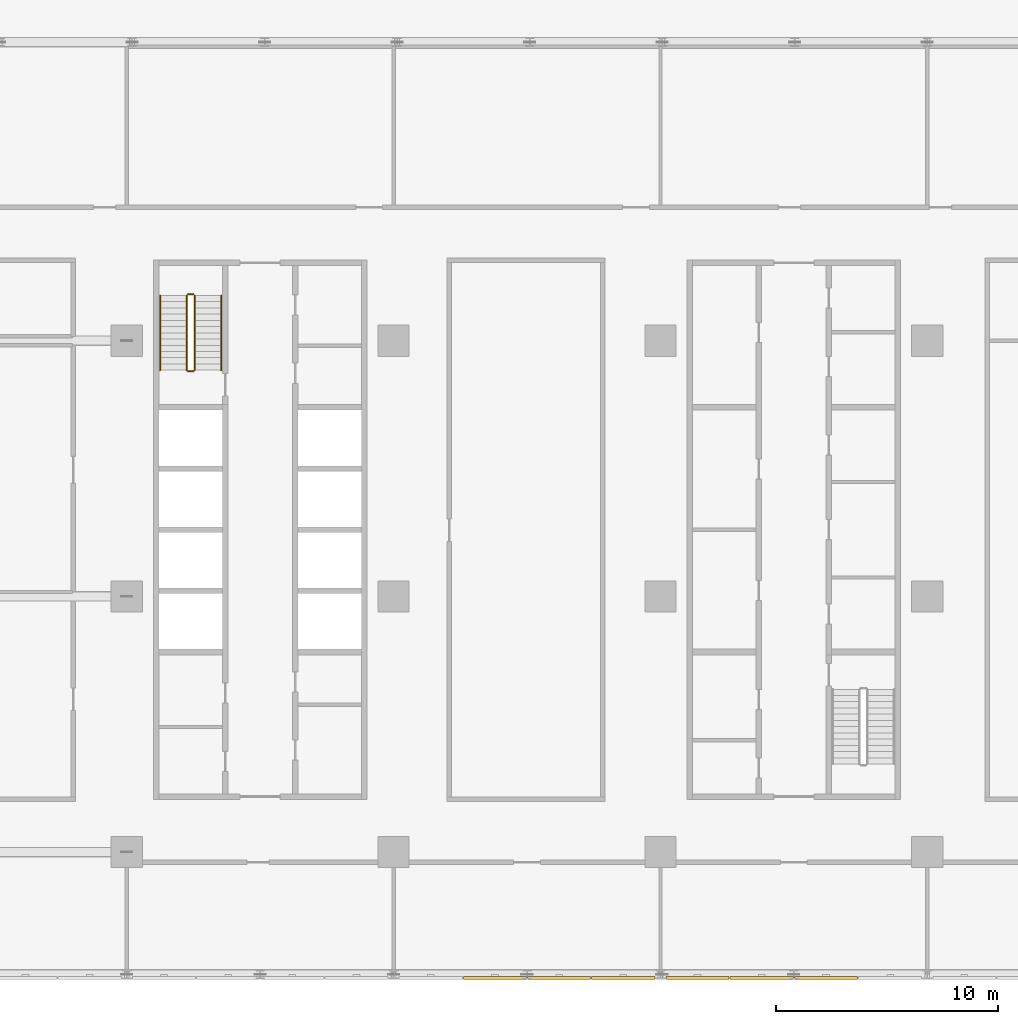
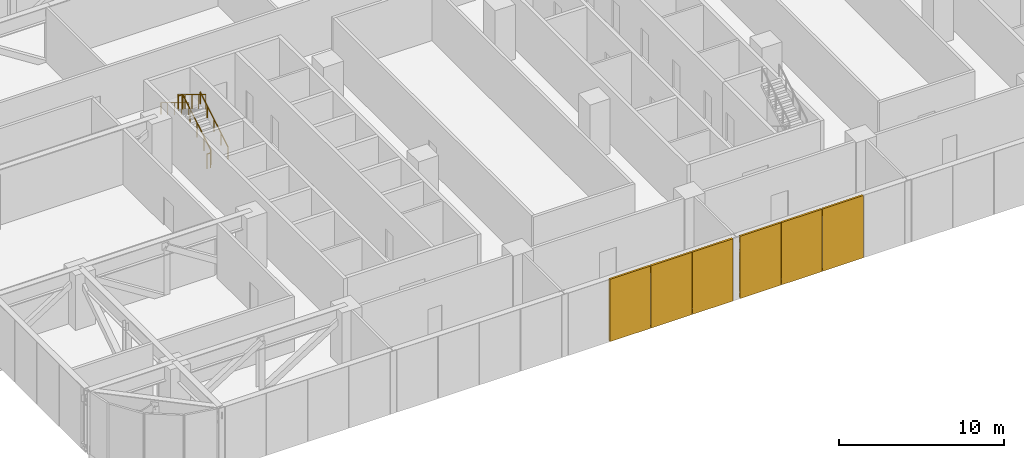
# One storey, part 22 of 26: 6 coverings, 6 railings.
"""IFC4 building model written with IfcOpenShell, lengths in metres."""

from ifc_helpers import new_model, si_unit, direction, frame, origin, origin_2d, place, context, subcontext, project, spatial, rectangle, circle, extrude, material, type_object, element, save


model = new_model("IFC4")

# Units and contexts
model_context = context("Model", 3, precision=1e-05, world=origin(), true_north=direction((0.0, 1.0)))
body_context = subcontext(model_context, "Body", "Model", "MODEL_VIEW")
ifc_project = project(units=[si_unit("LENGTHUNIT", "METRE"), si_unit("AREAUNIT", "SQUARE_METRE"), si_unit("VOLUMEUNIT", "CUBIC_METRE"), si_unit("PLANEANGLEUNIT", "RADIAN"), si_unit("MASSUNIT", "GRAM", prefix="KILO")], contexts=[model_context])

# Site, building, storey
site_placement = place(None, origin())
site = spatial("IfcSite", under=ifc_project, at=site_placement, CompositionType="ELEMENT")
building_placement = place(site_placement, origin())
building = spatial("IfcBuilding", under=site, at=building_placement, Name="Mahtab Terrace Research Tower", CompositionType="ELEMENT")
storey_placement = place(building_placement, frame((0.0, 0.0, 117.60009765625)))
storey = spatial("IfcBuildingStorey", under=building, at=storey_placement, Name="L27", CompositionType="ELEMENT", Elevation=117.60009765625)

# Coverings
ifc_material_1 = material(Name="Natural anodised aluminium", Category="aluminium")
covering_type = type_object("IfcCoveringType", Name="Plant storey louvre bay", PredefinedType="CLADDING", material=ifc_material_1)
for number, where, z_axis, x_axis, name in (
    (1, (-13.443115234375, -17.159912109375, -0.55029296875), (0.0, 0.0, 1.0), (1.0, 0.0, 0.0), "Louvre bay L27 81"),
    (2, (-10.556884765625, -17.159912109375, -0.55029296875), (0.0, 0.0, 1.0), (1.0, 0.0, 0.0), "Louvre bay L27 82"),
    (3, (-7.6708984375, -17.159912109375, -0.55029296875), (0.0, 0.0, 1.0), (1.0, 0.0, 0.0), "Louvre bay L27 83"),
    (4, (-4.3291015625, -17.159912109375, -0.55029296875), (0.0, 0.0, 1.0), (1.0, 0.0, 0.0), "Louvre bay L27 84"),
    (5, (-1.443115234375, -17.159912109375, -0.55029296875), (0.0, 0.0, 1.0), (1.0, 0.0, 0.0), "Louvre bay L27 85"),
    (6, (1.443115234375, -17.159912109375, -0.55029296875), (0.0, 0.0, 1.0), (1.0, 0.0, 0.0), "Louvre bay L27 86"),
):
    element("IfcCovering", number, at=place(storey_placement, frame(where, z_axis=z_axis, x_axis=x_axis)), inside=storey, type_object=covering_type, Name=name, PredefinedType="CLADDING", context=body_context, shape_type="SweptSolid", body=[
        extrude(rectangle(XDim=2.845947265625, YDim=0.139892578125, at=origin_2d()), origin(), (0.0, 0.0, 1.0), 4.610107421875),
    ])

# Railings
ifc_material_2 = material(Name="Stainless steel AISI 304", Category="steel")
railing_type_1 = type_object("IfcRailingType", Name="Stair guard 1100", PredefinedType="GUARDRAIL", material=ifc_material_2)
railing_1_placement = place(storey_placement, frame((-26.949951171875, 10.175048828125, 0.169189453125)))
element("IfcRailing", 7, at=railing_1_placement, inside=storey, type_object=railing_type_1, Name="L27 ST1 stair guard 1", PredefinedType="GUARDRAIL", context=body_context, shape_type="SweptSolid", body=[
    extrude(circle(Radius=0.02392578125, at=origin_2d()), frame((0.0, 0.0, 1.076171875), z_axis=(0.0, 0.855820338506, 0.51727318527), x_axis=(-1.0, 0.0, 0.0)), (0.0, 0.0, 1.0), 3.92578125),
    extrude(circle(Radius=0.02099609375, at=origin_2d()), origin(), (0.0, 0.0, 1.0), 1.052001953125),
    extrude(circle(Radius=0.02099609375, at=origin_2d()), frame((0.0, 0.83984375, 0.5078125)), (0.0, 0.0, 1.0), 1.052001953125),
    extrude(circle(Radius=0.02099609375, at=origin_2d()), frame((0.0, 1.679931640625, 1.015380859375)), (0.0, 0.0, 1.0), 1.052001953125),
    extrude(circle(Radius=0.02099609375, at=origin_2d()), frame((0.0, 2.52001953125, 1.52294921875)), (0.0, 0.0, 1.0), 1.052001953125),
    extrude(circle(Radius=0.02099609375, at=origin_2d()), frame((0.0, 3.35986328125, 2.03076171875)), (0.0, 0.0, 1.0), 1.052001953125),
])
railing_2_placement = place(storey_placement, frame((-27.0, 13.5849609375, 2.199951171875)))
element("IfcRailing", 8, at=railing_2_placement, inside=storey, type_object=railing_type_1, Name="L27 ST1 stair guard 2", PredefinedType="GUARDRAIL", context=body_context, shape_type="SweptSolid", body=[
    extrude(circle(Radius=0.02392578125, at=origin_2d()), frame((0.0, 0.0, 1.076171875), z_axis=(-1.0, 0.0, 0.0), x_axis=(0.0, -1.0, 0.0)), (0.0, 0.0, 1.0), 0.25),
    extrude(circle(Radius=0.02099609375, at=origin_2d()), origin(), (0.0, 0.0, 1.0), 1.052001953125),
    extrude(circle(Radius=0.02099609375, at=origin_2d()), frame((-0.25, 0.0, 0.0)), (0.0, 0.0, 1.0), 1.052001953125),
])
railing_3_placement = place(storey_placement, frame((-27.300048828125, 13.534912109375, 2.369140625)))
element("IfcRailing", 9, at=railing_3_placement, inside=storey, type_object=railing_type_1, Name="L27 ST1 stair guard 3", PredefinedType="GUARDRAIL", context=body_context, shape_type="SweptSolid", body=[
    extrude(circle(Radius=0.02392578125, at=origin_2d()), frame((0.0, 0.0, 1.076171875), z_axis=(0.0, -0.855820338506, 0.51727318527), x_axis=(1.0, 0.0, 0.0)), (0.0, 0.0, 1.0), 3.92578125),
    extrude(circle(Radius=0.02099609375, at=origin_2d()), origin(), (0.0, 0.0, 1.0), 1.052001953125),
    extrude(circle(Radius=0.02099609375, at=origin_2d()), frame((0.0, -0.83984375, 0.5078125)), (0.0, 0.0, 1.0), 1.052001953125),
    extrude(circle(Radius=0.02099609375, at=origin_2d()), frame((0.0, -1.679931640625, 1.015380859375)), (0.0, 0.0, 1.0), 1.052001953125),
    extrude(circle(Radius=0.02099609375, at=origin_2d()), frame((0.0, -2.52001953125, 1.52294921875)), (0.0, 0.0, 1.0), 1.052001953125),
    extrude(circle(Radius=0.02099609375, at=origin_2d()), frame((0.0, -3.35986328125, 2.03076171875)), (0.0, 0.0, 1.0), 1.052001953125),
])
railing_4_placement = place(storey_placement, frame((-27.0, 10.125, 0.0)))
element("IfcRailing", 10, at=railing_4_placement, inside=storey, type_object=railing_type_1, Name="L27 ST1 stair guard 4", PredefinedType="GUARDRAIL", context=body_context, shape_type="SweptSolid", body=[
    extrude(circle(Radius=0.02392578125, at=origin_2d()), frame((0.0, 0.0, 1.076171875), z_axis=(-1.0, 0.0, 0.0), x_axis=(0.0, -1.0, 0.0)), (0.0, 0.0, 1.0), 0.25),
    extrude(circle(Radius=0.02099609375, at=origin_2d()), origin(), (0.0, 0.0, 1.0), 1.052001953125),
    extrude(circle(Radius=0.02099609375, at=origin_2d()), frame((-0.25, 0.0, 0.0)), (0.0, 0.0, 1.0), 1.052001953125),
])
railing_type_2 = type_object("IfcRailingType", Name="Stair handrail 900", PredefinedType="HANDRAIL", material=ifc_material_2)
railing_5_placement = place(storey_placement, frame((-25.75, 10.175048828125, 0.169189453125)))
element("IfcRailing", 11, at=railing_5_placement, inside=storey, type_object=railing_type_2, Name="L27 ST1 stair handrail 1", PredefinedType="HANDRAIL", context=body_context, shape_type="SweptSolid", body=[
    extrude(circle(Radius=0.02392578125, at=origin_2d()), frame((0.0, 0.0, 0.8759765625), z_axis=(0.0, 0.855820338506, 0.51727318527), x_axis=(-1.0, 0.0, 0.0)), (0.0, 0.0, 1.0), 3.92578125),
    extrude(circle(Radius=0.02099609375, at=origin_2d()), origin(), (0.0, 0.0, 1.0), 0.851806640625),
    extrude(circle(Radius=0.02099609375, at=origin_2d()), frame((0.0, 0.83984375, 0.5078125)), (0.0, 0.0, 1.0), 0.851806640625),
    extrude(circle(Radius=0.02099609375, at=origin_2d()), frame((0.0, 1.679931640625, 1.015380859375)), (0.0, 0.0, 1.0), 0.851806640625),
    extrude(circle(Radius=0.02099609375, at=origin_2d()), frame((0.0, 2.52001953125, 1.52294921875)), (0.0, 0.0, 1.0), 0.851806640625),
    extrude(circle(Radius=0.02099609375, at=origin_2d()), frame((0.0, 3.35986328125, 2.03076171875)), (0.0, 0.0, 1.0), 0.851806640625),
])
railing_6_placement = place(storey_placement, frame((-28.5, 13.534912109375, 2.369140625)))
element("IfcRailing", 12, at=railing_6_placement, inside=storey, type_object=railing_type_2, Name="L27 ST1 stair handrail 2", PredefinedType="HANDRAIL", context=body_context, shape_type="SweptSolid", body=[
    extrude(circle(Radius=0.02392578125, at=origin_2d()), frame((0.0, 0.0, 0.8759765625), z_axis=(0.0, -0.855820338506, 0.51727318527), x_axis=(1.0, 0.0, 0.0)), (0.0, 0.0, 1.0), 3.92578125),
    extrude(circle(Radius=0.02099609375, at=origin_2d()), origin(), (0.0, 0.0, 1.0), 0.851806640625),
    extrude(circle(Radius=0.02099609375, at=origin_2d()), frame((0.0, -0.83984375, 0.5078125)), (0.0, 0.0, 1.0), 0.851806640625),
    extrude(circle(Radius=0.02099609375, at=origin_2d()), frame((0.0, -1.679931640625, 1.015380859375)), (0.0, 0.0, 1.0), 0.851806640625),
    extrude(circle(Radius=0.02099609375, at=origin_2d()), frame((0.0, -2.52001953125, 1.52294921875)), (0.0, 0.0, 1.0), 0.851806640625),
    extrude(circle(Radius=0.02099609375, at=origin_2d()), frame((0.0, -3.35986328125, 2.03076171875)), (0.0, 0.0, 1.0), 0.851806640625),
])

save(model, "model.ifc")
